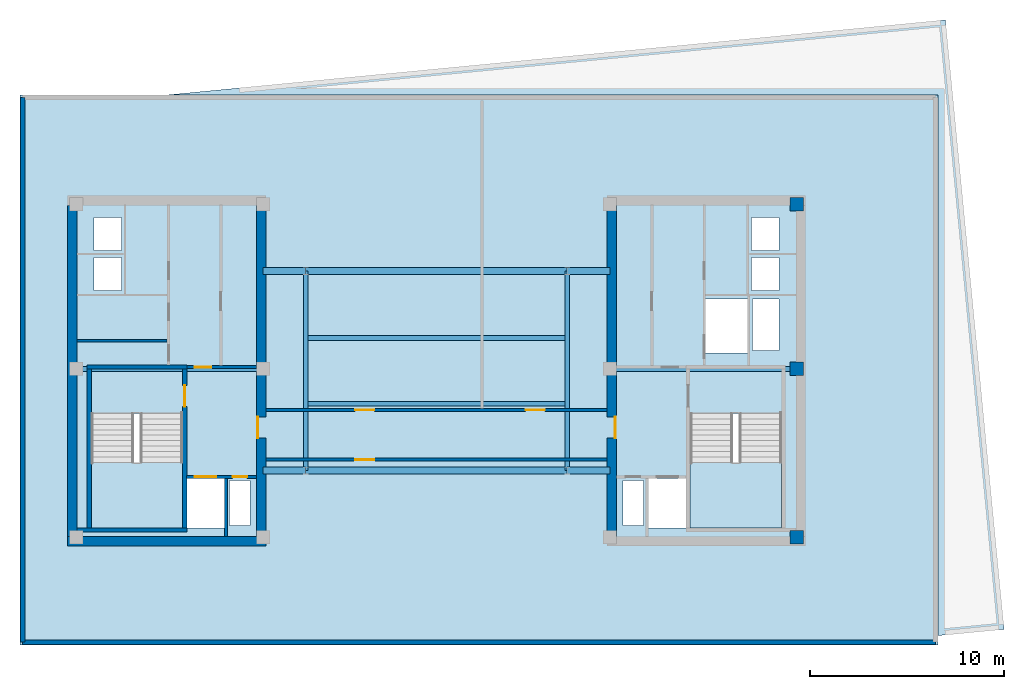
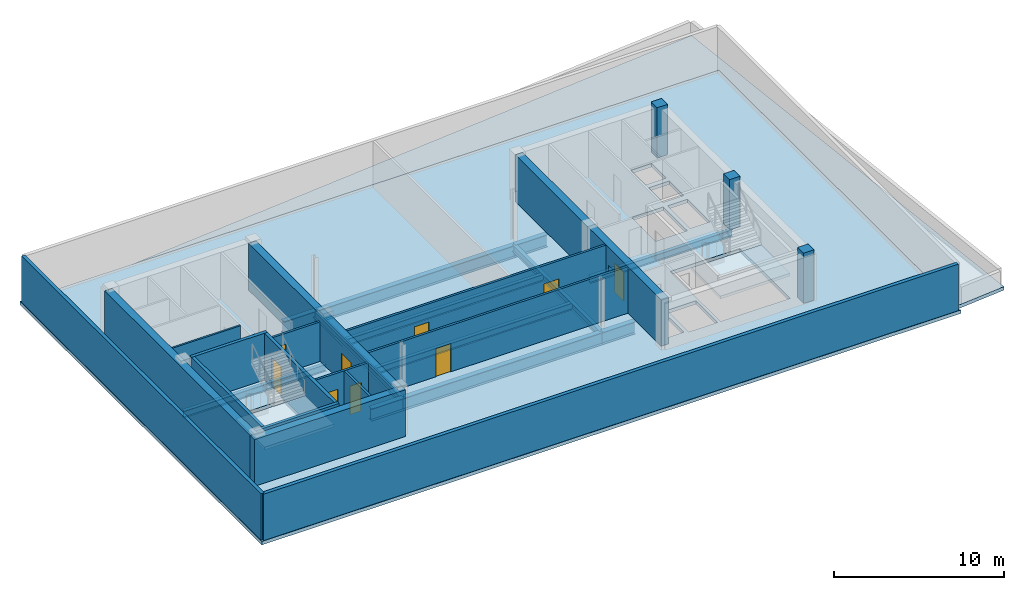
# One storey, part 2 of 6: 16 walls, 12 beams, 9 doors, 4 slabs, 3 columns, 9 openings, 2 elements without a shape of their own.
"""IFC4 building model written with IfcOpenShell, lengths in metres."""

from ifc_helpers import new_model, si_unit, direction, frame, frame_2d, origin, origin_2d, place, context, subcontext, project, spatial, polyline, rectangle, i_section, outline, extrude, material, layer, layer_set, material_profile, profile_set, type_object, element, fill, aggregate, save


model = new_model("IFC4")

# Units and contexts
model_context = context("Model", 3, precision=1e-05, world=origin(), true_north=direction((0.0, 1.0)))
body_context = subcontext(model_context, "Body", "Model", "MODEL_VIEW")
ifc_project = project(units=[si_unit("LENGTHUNIT", "METRE"), si_unit("AREAUNIT", "SQUARE_METRE"), si_unit("VOLUMEUNIT", "CUBIC_METRE"), si_unit("PLANEANGLEUNIT", "RADIAN"), si_unit("MASSUNIT", "GRAM", prefix="KILO")], contexts=[model_context])

# Site, building, storey
site_placement = place(None, origin())
site = spatial("IfcSite", under=ifc_project, at=site_placement, CompositionType="ELEMENT")
building_placement = place(site_placement, origin())
building = spatial("IfcBuilding", under=site, at=building_placement, Name="Velakula Bourse", CompositionType="ELEMENT")
storey_placement = place(building_placement, frame((0.0, 0.0, 290.550048828125)))
storey = spatial("IfcBuildingStorey", under=building, at=storey_placement, Name="L79", CompositionType="ELEMENT", Elevation=290.550048828125)

# Columns
ifc_material_1 = material(Name="Concrete M50 (fck 50 MPa)", Category="concrete")
ifc_material_profile_1 = material_profile(ifc_material_1, rectangle(XDim=0.699951171875, YDim=0.699951171875, at=origin_2d()), Name="Concrete M50 (fck 50 MPa)")
ifc_profile_set_1 = profile_set([ifc_material_profile_1], Name="Concrete M50 (fck 50 MPa)")
column_type = type_object("IfcColumnType", Name="COL-RC-700", PredefinedType="COLUMN", material=ifc_profile_set_1)
for number, where, z_axis, x_axis, name in (
    (1, (18.60009765625, -8.60009765625, 0.0), (0.0, 0.0, 1.0), (1.0, 0.0, 0.0), "L79 Core Boundary Column 10"),
    (2, (18.60009765625, 0.10009765625, 0.0), (0.0, 0.0, 1.0), (1.0, 0.0, 0.0), "L79 Core Boundary Column 11"),
    (3, (18.60009765625, 8.60009765625, 0.0), (0.0, 0.0, 1.0), (1.0, 0.0, 0.0), "L79 Core Boundary Column 12"),
):
    element("IfcColumn", number, at=place(storey_placement, frame(where, z_axis=z_axis, x_axis=x_axis)), inside=storey, type_object=column_type, Name=name, PredefinedType="COLUMN", context=body_context, shape_type="SweptSolid", body=[
        extrude(rectangle(XDim=0.699951171875, YDim=0.699951171875, at=origin_2d()), origin(), (0.0, 0.0, 1.0), 3.599853515625),
    ])

# Beams
ifc_material_2 = material(Name="Steel IS 2062 Grade 350 (E350)", Category="steel")
ifc_material_profile_2 = material_profile(ifc_material_2, i_section(OverallWidth=0.25, OverallDepth=0.5, WebThickness=0.010009765625, FlangeThickness=0.0146484375, at=origin_2d()), Name="Steel IS 2062 Grade 350 (E350)")
ifc_profile_set_2 = profile_set([ifc_material_profile_2], Name="Steel IS 2062 Grade 350 (E350)")
beam_type_1 = type_object("IfcBeamType", Name="BM-EDG-500", PredefinedType="BEAM", material=ifc_profile_set_2)
for number, where, z_axis, x_axis, name in (
    (4, (-18.60009765625, 0.10009765625, -0.5), (1.0, 0.0, 0.0), (0.0, 1.0, 0.0), "L79 Primary Backbone Girder CRW-M"),
    (5, (8.949951171875, 0.10009765625, -0.5), (1.0, 0.0, 0.0), (0.0, 1.0, 0.0), "L79 Primary Backbone Girder CRE-M"),
):
    element("IfcBeam", number, at=place(storey_placement, frame(where, z_axis=z_axis, x_axis=x_axis)), inside=storey, type_object=beam_type_1, Name=name, PredefinedType="BEAM", context=body_context, shape_type="SweptSolid", body=[
        extrude(i_section(OverallWidth=0.25, OverallDepth=0.5, WebThickness=0.010009765625, FlangeThickness=0.0146484375, at=origin_2d()), origin(), (0.0, 0.0, 1.0), 9.650146484375),
    ])
for number, where, z_axis, x_axis, name in (
    (6, (-6.75, -5.14990234375, -0.5), (0.0, 1.0, 0.0), (-1.0, 0.0, 0.0), "L79 Primary Backbone Girder SPN-W"),
    (7, (6.75, -5.14990234375, -0.5), (0.0, 1.0, 0.0), (-1.0, 0.0, 0.0), "L79 Primary Backbone Girder SPN-E"),
):
    element("IfcBeam", number, at=place(storey_placement, frame(where, z_axis=z_axis, x_axis=x_axis)), inside=storey, type_object=beam_type_1, Name=name, PredefinedType="BEAM", context=body_context, shape_type="SweptSolid", body=[
        extrude(i_section(OverallWidth=0.25, OverallDepth=0.5, WebThickness=0.010009765625, FlangeThickness=0.0146484375, at=origin_2d()), origin(), (0.0, 0.0, 1.0), 10.2998046875),
    ])
for number, where, z_axis, x_axis, name in (
    (8, (-6.75, -1.699951171875, -0.5), (1.0, 0.0, 0.0), (0.0, 1.0, 0.0), "L79 Crown Mechanical Floor Girder 1"),
    (9, (-6.75, 1.699951171875, -0.5), (1.0, 0.0, 0.0), (0.0, 1.0, 0.0), "L79 Crown Mechanical Floor Girder 2"),
):
    element("IfcBeam", number, at=place(storey_placement, frame(where, z_axis=z_axis, x_axis=x_axis)), inside=storey, type_object=beam_type_1, Name=name, PredefinedType="BEAM", context=body_context, shape_type="SweptSolid", body=[
        extrude(i_section(OverallWidth=0.25, OverallDepth=0.5, WebThickness=0.010009765625, FlangeThickness=0.0146484375, at=origin_2d()), origin(), (0.0, 0.0, 1.0), 13.5),
    ])
ifc_material_profile_3 = material_profile(ifc_material_2, i_section(OverallWidth=0.35009765625, OverallDepth=0.89990234375, WebThickness=0.02001953125, FlangeThickness=0.031982421875, at=origin_2d()), Name="Steel IS 2062 Grade 350 (E350)")
ifc_profile_set_3 = profile_set([ifc_material_profile_3], Name="Steel IS 2062 Grade 350 (E350)")
beam_type_2 = type_object("IfcBeamType", Name="BM-LNK-900", PredefinedType="BEAM", material=ifc_profile_set_3)
beam_1_placement = place(storey_placement, frame((-8.949951171875, -5.14990234375, -0.699951171875), z_axis=(1.0, 0.0, 0.0), x_axis=(0.0, 1.0, 0.0)))
element("IfcBeam", 10, at=beam_1_placement, inside=storey, type_object=beam_type_2, Name="L79 Primary Backbone Girder LNK-S1", PredefinedType="BEAM", context=body_context, shape_type="SweptSolid", body=[
    extrude(i_section(OverallWidth=0.35009765625, OverallDepth=0.89990234375, WebThickness=0.02001953125, FlangeThickness=0.031982421875, at=origin_2d()), origin(), (0.0, 0.0, 1.0), 2.199951171875),
])
beam_2_placement = place(storey_placement, frame((-6.75, -5.14990234375, -0.699951171875), z_axis=(1.0, 0.0, 0.0), x_axis=(0.0, 1.0, 0.0)))
element("IfcBeam", 11, at=beam_2_placement, inside=storey, type_object=beam_type_2, Name="L79 Primary Backbone Girder LNK-S2", PredefinedType="BEAM", context=body_context, shape_type="SweptSolid", body=[
    extrude(i_section(OverallWidth=0.35009765625, OverallDepth=0.89990234375, WebThickness=0.02001953125, FlangeThickness=0.031982421875, at=origin_2d()), origin(), (0.0, 0.0, 1.0), 13.5),
])
for number, where, z_axis, x_axis, name in (
    (12, (6.75, -5.14990234375, -0.699951171875), (1.0, 0.0, 0.0), (0.0, 1.0, 0.0), "L79 Primary Backbone Girder LNK-S3"),
    (13, (-8.949951171875, 5.14990234375, -0.699951171875), (1.0, 0.0, 0.0), (0.0, 1.0, 0.0), "L79 Primary Backbone Girder LNK-N1"),
):
    element("IfcBeam", number, at=place(storey_placement, frame(where, z_axis=z_axis, x_axis=x_axis)), inside=storey, type_object=beam_type_2, Name=name, PredefinedType="BEAM", context=body_context, shape_type="SweptSolid", body=[
        extrude(i_section(OverallWidth=0.35009765625, OverallDepth=0.89990234375, WebThickness=0.02001953125, FlangeThickness=0.031982421875, at=origin_2d()), origin(), (0.0, 0.0, 1.0), 2.199951171875),
    ])
beam_3_placement = place(storey_placement, frame((-6.75, 5.14990234375, -0.699951171875), z_axis=(1.0, 0.0, 0.0), x_axis=(0.0, 1.0, 0.0)))
element("IfcBeam", 14, at=beam_3_placement, inside=storey, type_object=beam_type_2, Name="L79 Primary Backbone Girder LNK-N2", PredefinedType="BEAM", context=body_context, shape_type="SweptSolid", body=[
    extrude(i_section(OverallWidth=0.35009765625, OverallDepth=0.89990234375, WebThickness=0.02001953125, FlangeThickness=0.031982421875, at=origin_2d()), origin(), (0.0, 0.0, 1.0), 13.5),
])
beam_4_placement = place(storey_placement, frame((6.75, 5.14990234375, -0.699951171875), z_axis=(1.0, 0.0, 0.0), x_axis=(0.0, 1.0, 0.0)))
element("IfcBeam", 15, at=beam_4_placement, inside=storey, type_object=beam_type_2, Name="L79 Primary Backbone Girder LNK-N3", PredefinedType="BEAM", context=body_context, shape_type="SweptSolid", body=[
    extrude(i_section(OverallWidth=0.35009765625, OverallDepth=0.89990234375, WebThickness=0.02001953125, FlangeThickness=0.031982421875, at=origin_2d()), origin(), (0.0, 0.0, 1.0), 2.199951171875),
])

# Slab
ifc_layer_1 = layer(ifc_material_1, 0.25, Name="Concrete M50 (fck 50 MPa)", Category="concrete")
ifc_layer_set_1 = layer_set([ifc_layer_1], Name="Concrete M50 (fck 50 MPa)")
slab_type_1 = type_object("IfcSlabType", Name="SLB-POD-250", PredefinedType="FLOOR", material=ifc_layer_set_1)
slab_1_placement = place(storey_placement, frame((0.0, 0.0, -0.25)))
element("IfcSlab", 16, at=slab_1_placement, inside=storey, type_object=slab_type_1, Name="L79 Suspended Structural Floor Slab", PredefinedType="FLOOR", context=body_context, shape_type="SweptSolid", body=[
    extrude(outline(polyline([(-21.5, -14.14990234375), (25.89990234375, -14.14990234375), (25.89990234375, 14.25), (-21.5, 14.25), (-21.5, -14.14990234375)]), holes=[polyline([(-17.820068359375, -8.10009765625), (-13.10009765625, -8.10009765625), (-13.10009765625, -2.199951171875), (-17.820068359375, -2.199951171875), (-17.820068359375, -8.10009765625)]), polyline([(13.10009765625, -8.10009765625), (17.820068359375, -8.10009765625), (17.820068359375, -2.199951171875), (13.10009765625, -2.199951171875), (13.10009765625, -8.10009765625)]), polyline([(-12.89990234375, -8.10009765625), (-10.949951171875, -8.10009765625), (-10.949951171875, -5.550048828125), (-12.89990234375, -5.550048828125), (-12.89990234375, -8.10009765625)]), polyline([(10.949951171875, -8.10009765625), (12.89990234375, -8.10009765625), (12.89990234375, -5.550048828125), (10.949951171875, -5.550048828125), (10.949951171875, -8.10009765625)]), polyline([(13.89990234375, 0.919921875), (16.050048828125, 0.919921875), (16.050048828125, 3.719970703125), (13.89990234375, 3.719970703125), (13.89990234375, 0.919921875)]), polyline([(-10.679931640625, -7.97998046875), (-9.6201171875, -7.97998046875), (-9.6201171875, -5.669921875), (-10.679931640625, -5.669921875), (-10.679931640625, -7.97998046875)]), polyline([(-17.679931640625, 4.139892578125), (-16.27001953125, 4.139892578125), (-16.27001953125, 5.85009765625), (-17.679931640625, 5.85009765625), (-17.679931640625, 4.139892578125)]), polyline([(-17.679931640625, 6.2099609375), (-16.27001953125, 6.2099609375), (-16.27001953125, 7.919921875), (-17.679931640625, 7.919921875), (-17.679931640625, 6.2099609375)]), polyline([(9.6201171875, -7.97998046875), (10.679931640625, -7.97998046875), (10.679931640625, -5.669921875), (9.6201171875, -5.669921875), (9.6201171875, -7.97998046875)]), polyline([(16.27001953125, 4.139892578125), (17.679931640625, 4.139892578125), (17.679931640625, 5.85009765625), (16.27001953125, 5.85009765625), (16.27001953125, 4.139892578125)]), polyline([(16.27001953125, 6.2099609375), (17.679931640625, 6.2099609375), (17.679931640625, 7.919921875), (16.27001953125, 7.919921875), (16.27001953125, 6.2099609375)]), polyline([(16.320068359375, 1.0400390625), (17.679931640625, 1.0400390625), (17.679931640625, 3.699951171875), (16.320068359375, 3.699951171875), (16.320068359375, 1.0400390625)])]), origin(), (0.0, 0.0, 1.0), 0.25),
])

# Stair, slab
ifc_material_3 = material(Name="Concrete M45 (fck 45 MPa)", Category="concrete")
stair_type = type_object("IfcStairType", Name="STR-DOG-390", PredefinedType="HALF_TURN_STAIR", material=ifc_material_3)
stair_1_placement = place(storey_placement, origin())
stair_1 = element("IfcStair", 17, at=stair_1_placement, inside=storey, type_object=stair_type, Name="L79 West Core Exit Stair ST-W1", PredefinedType="HALF_TURN_STAIR")
ifc_layer_2 = layer(ifc_material_3, 0.199951171875, Name="Concrete M45 (fck 45 MPa)", Category="concrete")
ifc_layer_set_2 = layer_set([ifc_layer_2], Name="Concrete M45 (fck 45 MPa)")
slab_type_2 = type_object("IfcSlabType", Name="SLB-STAIR-LND-200", PredefinedType="LANDING", material=ifc_layer_set_2)
slab_2_placement = place(storey_placement, frame((0.0, 0.0, 1.599853515625)))
slab_2 = element("IfcSlab", 18, at=slab_2_placement, type_object=slab_type_2, Name="ST-W1 landing 1", PredefinedType="LANDING", context=body_context, shape_type="SweptSolid", body=[
    extrude(outline(polyline([(-17.820068359375, -4.719970703125), (-17.820068359375, -8.10009765625), (-13.10009765625, -8.10009765625), (-13.10009765625, -4.719970703125), (-17.820068359375, -4.719970703125)])), origin(), (0.0, 0.0, 1.0), 0.2001953125),
])
aggregate(stair_1, [slab_2])

stair_2_placement = place(storey_placement, origin())
stair_2 = element("IfcStair", 19, at=stair_2_placement, inside=storey, type_object=stair_type, Name="L79 East Core Exit Stair ST-E1", PredefinedType="HALF_TURN_STAIR")
slab_3_placement = place(storey_placement, frame((0.0, 0.0, 1.599853515625)))
slab_3 = element("IfcSlab", 20, at=slab_3_placement, type_object=slab_type_2, Name="ST-E1 landing 1", PredefinedType="LANDING", context=body_context, shape_type="SweptSolid", body=[
    extrude(outline(polyline([(13.10009765625, -4.719970703125), (13.10009765625, -8.10009765625), (17.820068359375, -8.10009765625), (17.820068359375, -4.719970703125), (13.10009765625, -4.719970703125)])), origin(), (0.0, 0.0, 1.0), 0.2001953125),
])
aggregate(stair_2, [slab_3])

# Slab
ifc_layer_3 = layer(ifc_material_1, 0.25, Name="Concrete M50 (fck 50 MPa)", Category="concrete")
ifc_layer_set_3 = layer_set([ifc_layer_3], Name="Concrete M50 (fck 50 MPa)")
slab_type_3 = type_object("IfcSlabType", Name="SLB-STEP-ROOF-250", PredefinedType="ROOF", material=ifc_layer_set_3)
slab_4_placement = place(storey_placement, frame((0.0, 0.0, -0.25)))
element("IfcSlab", 21, at=slab_4_placement, inside=storey, type_object=slab_type_3, Name="L79 Crown Step 2 Closed Roof", PredefinedType="ROOF", context=body_context, shape_type="SweptSolid", body=[
    extrude(outline(polyline([(26.27099609375, 18.11376953125), (29.2998046875, -13.3408203125), (25.8798828125, -13.669921875), (25.8798828125, 14.22998046875), (-14.06396484375, 14.22998046875), (26.27099609375, 18.11376953125)])), origin(), (0.0, 0.0, 1.0), 0.25),
])

# Wall, opening, door
ifc_layer_4 = layer(ifc_material_1, 0.2099609375, Name="Concrete M50 (fck 50 MPa)", Category="concrete")
ifc_layer_set_4 = layer_set([ifc_layer_4], Name="Concrete M50 (fck 50 MPa)")
wall_type_1 = type_object("IfcWallType", Name="WL-CORE-210", PredefinedType="SHEAR", material=ifc_layer_set_4)
wall_1_placement = place(storey_placement, frame((-12.9951171875, -8.10009765625, 0.0), z_axis=(0.0, 0.0, 1.0), x_axis=(0.0, 1.0, 0.0)))
wall_1 = element("IfcWall", 22, at=wall_1_placement, inside=storey, type_object=wall_type_1, Name="L79 Core W Stairwell Shear Wall IN", PredefinedType="SHEAR", context=body_context, shape_type="SweptSolid", body=[
    extrude(rectangle(XDim=8.2001953125, YDim=0.2099609375, at=frame_2d((4.10009765625, 0.0))), origin(), (0.0, 0.0, 1.0), 3.349853515625),
])
opening_1_placement = place(wall_1_placement, frame((6.25, 0.0, 0.0)))
opening_1 = element("IfcOpeningElement", 23, at=opening_1_placement, cuts=wall_1, Name="Opening D-STW1", PredefinedType="OPENING", context=body_context, shape_type="SweptSolid", body=[
    extrude(rectangle(XDim=1.10009765625, YDim=2.14990234375, at=frame_2d((0.550048828125, 1.074951171875))), frame((0.0, 0.114990234375, 0.0), z_axis=(0.0, -1.0, 0.0), x_axis=(1.0, 0.0, 0.0)), (0.0, 0.0, 1.0), 0.22998046875),
])
ifc_material_4 = material(Name="Galvanised painted hollow steel fire door", Category="steel")
door_type_1 = type_object("IfcDoorType", Name="DR-FD120-1100x2150", OperationType="NOTDEFINED", PredefinedType="DOOR", material=ifc_material_4)
door_1_placement = place(opening_1_placement, origin())
door_1 = element("IfcDoor", 24, at=door_1_placement, inside=storey, type_object=door_type_1, Name="L79 Stair ST-W1 Fire Door", OperationType="SINGLE_SWING_LEFT", OverallHeight=2.14990234375, OverallWidth=1.10009765625, PredefinedType="DOOR", context=body_context, shape_type="SweptSolid", body=[
    extrude(rectangle(XDim=1.10009765625, YDim=2.14990234375, at=frame_2d((0.550048828125, 1.074951171875))), frame((0.0, 0.02490234375, 0.0), z_axis=(0.0, -1.0, 0.0), x_axis=(1.0, 0.0, 0.0)), (0.0, 0.0, 1.0), 0.050048828125),
])
fill(opening_1, door_1)

# Walls
wall_2_placement = place(storey_placement, frame((-17.925048828125, -8.10009765625, 0.0), z_axis=(0.0, 0.0, 1.0), x_axis=(0.0, 1.0, 0.0)))
element("IfcWall", 25, at=wall_2_placement, inside=storey, type_object=wall_type_1, Name="L79 Core W Stairwell Shear Wall OUT", PredefinedType="SHEAR", context=body_context, shape_type="SweptSolid", body=[
    extrude(rectangle(XDim=8.2001953125, YDim=0.2099609375, at=frame_2d((4.10009765625, 0.0))), origin(), (0.0, 0.0, 1.0), 3.349853515625),
])
wall_3_placement = place(storey_placement, frame((-18.550048828125, -8.205078125, 0.0), z_axis=(0.0, 0.0, 1.0), x_axis=(1.0, 0.0, 0.0)))
element("IfcWall", 26, at=wall_3_placement, inside=storey, type_object=wall_type_1, Name="L79 Core W Stairwell Shear Wall S", PredefinedType="SHEAR", context=body_context, shape_type="SweptSolid", body=[
    extrude(rectangle(XDim=5.66015625, YDim=0.2099609375, at=frame_2d((2.830078125, 0.0))), origin(), (0.0, 0.0, 1.0), 3.349853515625),
])
wall_4_placement = place(storey_placement, frame((-12.889892578125, 0.205078125, 0.0), z_axis=(0.0, 0.0, 1.0), x_axis=(-1.0, 0.0, 0.0)))
element("IfcWall", 27, at=wall_4_placement, inside=storey, type_object=wall_type_1, Name="L79 Core W Stairwell Shear Wall N", PredefinedType="SHEAR", context=body_context, shape_type="SweptSolid", body=[
    extrude(rectangle(XDim=5.14013671875, YDim=0.2099609375, at=frame_2d((2.570068359375, 0.0))), origin(), (0.0, 0.0, 1.0), 3.349853515625),
])
ifc_layer_5 = layer(ifc_material_1, 0.5, Name="Concrete M50 (fck 50 MPa)", Category="concrete")
ifc_layer_set_5 = layer_set([ifc_layer_5], Name="Concrete M50 (fck 50 MPa)")
wall_type_2 = type_object("IfcWallType", Name="WL-CORE-500", PredefinedType="SHEAR", material=ifc_layer_set_5)
wall_5_placement = place(storey_placement, frame((-19.050048828125, -8.800048828125, 0.0), z_axis=(0.0, 0.0, 1.0), x_axis=(1.0, 0.0, 0.0)))
element("IfcWall", 28, at=wall_5_placement, inside=storey, type_object=wall_type_2, Name="L79 Core W Shear Wall S", PredefinedType="SHEAR", context=body_context, shape_type="SweptSolid", body=[
    extrude(rectangle(XDim=10.25, YDim=0.5, at=frame_2d((5.125, 0.0))), origin(), (0.0, 0.0, 1.0), 3.349853515625),
])
wall_6_placement = place(storey_placement, frame((-18.800048828125, -8.550048828125, 0.0), z_axis=(0.0, 0.0, 1.0), x_axis=(0.0, 1.0, 0.0)))
element("IfcWall", 29, at=wall_6_placement, inside=storey, type_object=wall_type_2, Name="L79 Core W Shear Wall W", PredefinedType="SHEAR", context=body_context, shape_type="SweptSolid", body=[
    extrude(rectangle(XDim=17.10009765625, YDim=0.5, at=frame_2d((8.550048828125, 0.0))), origin(), (0.0, 0.0, 1.0), 3.349853515625),
])

# Wall, opening, door
wall_7_placement = place(storey_placement, frame((-9.050048828125, -8.550048828125, 0.0), z_axis=(0.0, 0.0, 1.0), x_axis=(0.0, 1.0, 0.0)))
wall_7 = element("IfcWall", 30, at=wall_7_placement, inside=storey, type_object=wall_type_2, Name="L79 Core W Shear Wall E", PredefinedType="SHEAR", context=body_context, shape_type="SweptSolid", body=[
    extrude(rectangle(XDim=17.10009765625, YDim=0.5, at=frame_2d((8.550048828125, 0.0))), origin(), (0.0, 0.0, 1.0), 3.349853515625),
])
opening_2_placement = place(wall_7_placement, frame((5.080078125, 0.0, 0.0)))
opening_2 = element("IfcOpeningElement", 31, at=opening_2_placement, cuts=wall_7, Name="Opening D-FLW", PredefinedType="OPENING", context=body_context, shape_type="SweptSolid", body=[
    extrude(rectangle(XDim=1.10009765625, YDim=2.080078125, at=frame_2d((0.550048828125, 1.0400390625))), frame((0.0, 0.260009765625, 0.0), z_axis=(0.0, -1.0, 0.0), x_axis=(1.0, 0.0, 0.0)), (0.0, 0.0, 1.0), 0.52001953125),
])
door_type_2 = type_object("IfcDoorType", Name="DR-FD120-1100", OperationType="NOTDEFINED", PredefinedType="DOOR", material=ifc_material_4)
door_2_placement = place(opening_2_placement, origin())
door_2 = element("IfcDoor", 32, at=door_2_placement, inside=storey, type_object=door_type_2, Name="L79 Firefighting Lobby W Corridor Fire Door", OperationType="SINGLE_SWING_LEFT", OverallHeight=2.080078125, OverallWidth=1.10009765625, PredefinedType="DOOR", context=body_context, shape_type="SweptSolid", body=[
    extrude(rectangle(XDim=1.10009765625, YDim=2.080078125, at=frame_2d((0.550048828125, 1.0400390625))), frame((0.0, 0.205078125, 0.0), z_axis=(0.0, -1.0, 0.0), x_axis=(1.0, 0.0, 0.0)), (0.0, 0.0, 1.0), 0.050048828125),
])
fill(opening_2, door_2)

wall_8_placement = place(storey_placement, frame((9.050048828125, -8.550048828125, 0.0), z_axis=(0.0, 0.0, 1.0), x_axis=(0.0, 1.0, 0.0)))
wall_8 = element("IfcWall", 33, at=wall_8_placement, inside=storey, type_object=wall_type_2, Name="L79 Core E Shear Wall W", PredefinedType="SHEAR", context=body_context, shape_type="SweptSolid", body=[
    extrude(rectangle(XDim=17.10009765625, YDim=0.5, at=frame_2d((8.550048828125, 0.0))), origin(), (0.0, 0.0, 1.0), 3.349853515625),
])
opening_3_placement = place(wall_8_placement, frame((5.080078125, 0.0, 0.0)))
opening_3 = element("IfcOpeningElement", 34, at=opening_3_placement, cuts=wall_8, Name="Opening D-FLE", PredefinedType="OPENING", context=body_context, shape_type="SweptSolid", body=[
    extrude(rectangle(XDim=1.10009765625, YDim=2.080078125, at=frame_2d((0.550048828125, 1.0400390625))), frame((0.0, 0.260009765625, 0.0), z_axis=(0.0, -1.0, 0.0), x_axis=(1.0, 0.0, 0.0)), (0.0, 0.0, 1.0), 0.52001953125),
])
door_3_placement = place(opening_3_placement, origin())
door_3 = element("IfcDoor", 35, at=door_3_placement, inside=storey, type_object=door_type_2, Name="L79 Firefighting Lobby E Corridor Fire Door", OperationType="SINGLE_SWING_RIGHT", OverallHeight=2.080078125, OverallWidth=1.10009765625, PredefinedType="DOOR", context=body_context, shape_type="SweptSolid", body=[
    extrude(rectangle(XDim=1.10009765625, YDim=2.080078125, at=frame_2d((0.550048828125, 1.0400390625))), frame((0.0, -0.15478515625, 0.0), z_axis=(0.0, -1.0, 0.0), x_axis=(1.0, 0.0, 0.0)), (0.0, 0.0, 1.0), 0.050048828125),
])
fill(opening_3, door_3)

# Walls
ifc_material_5 = material(Name="Buff kilned clay facing brick masonry", Category="masonry")
ifc_layer_6 = layer(ifc_material_5, 0.239990234375, Name="Buff kilned clay facing brick masonry", Category="masonry")
ifc_layer_set_6 = layer_set([ifc_layer_6], Name="Buff kilned clay facing brick masonry")
wall_type_3 = type_object("IfcWallType", Name="WL-EXT-CRN-240", PredefinedType="STANDARD", material=ifc_layer_set_6)
wall_9_placement = place(storey_placement, frame((-21.360107421875, -14.010009765625, 0.0), z_axis=(0.0, 0.0, 1.0), x_axis=(1.0, 0.0, 0.0)))
element("IfcWall", 36, at=wall_9_placement, inside=storey, type_object=wall_type_3, Name="L79 Crown Brick Acoustic Wall S", PredefinedType="STANDARD", context=body_context, shape_type="SweptSolid", body=[
    extrude(rectangle(XDim=47.1201171875, YDim=0.239990234375, at=frame_2d((23.56005859375, 0.0))), origin(), (0.0, 0.0, 1.0), 3.329833984375),
])
wall_10_placement = place(storey_placement, frame((-21.360107421875, 14.110107421875, 0.0), z_axis=(0.0, 0.0, 1.0), x_axis=(0.0, -1.0, 0.0)))
element("IfcWall", 37, at=wall_10_placement, inside=storey, type_object=wall_type_3, Name="L79 Crown Brick Acoustic Wall W", PredefinedType="STANDARD", context=body_context, shape_type="SweptSolid", body=[
    extrude(rectangle(XDim=28.1201171875, YDim=0.239990234375, at=frame_2d((14.06005859375, 0.0))), origin(), (0.0, 0.0, 1.0), 3.329833984375),
])
ifc_material_6 = material(Name="Fire-rated double-layer gypsum drywall partition", Category="gypsum")
ifc_layer_7 = layer(ifc_material_6, 0.1201171875, Name="Fire-rated double-layer gypsum drywall partition", Category="gypsum")
ifc_layer_set_7 = layer_set([ifc_layer_7], Name="Fire-rated double-layer gypsum drywall partition")
wall_type_4 = type_object("IfcWallType", Name="WL-PART-120", PredefinedType="STANDARD", material=ifc_layer_set_7)
wall_11_placement = place(storey_placement, frame((-18.550048828125, 1.550048828125, 0.0), z_axis=(0.0, 0.0, 1.0), x_axis=(1.0, 0.0, 0.0)))
element("IfcWall", 38, at=wall_11_placement, inside=storey, type_object=wall_type_4, Name="L79 Interior Partition WL-CRW-L79-K1", PredefinedType="STANDARD", context=body_context, shape_type="SweptSolid", body=[
    extrude(rectangle(XDim=4.650146484375, YDim=0.1201171875, at=frame_2d((2.3251953125, 0.0))), origin(), (0.0, 0.0, 1.0), 3.329833984375),
])

# Wall, openings, doors
ifc_material_7 = material(Name="Autoclaved aerated concrete blockwork masonry", Category="masonry")
ifc_layer_8 = layer(ifc_material_7, 0.14990234375, Name="Autoclaved aerated concrete blockwork masonry", Category="masonry")
ifc_layer_set_8 = layer_set([ifc_layer_8], Name="Autoclaved aerated concrete blockwork masonry")
wall_type_5 = type_object("IfcWallType", Name="WL-SHAFT-150", PredefinedType="STANDARD", material=ifc_layer_set_8)
wall_12_placement = place(storey_placement, frame((-12.89501953125, -5.47509765625, 0.0), z_axis=(0.0, 0.0, 1.0), x_axis=(1.0, 0.0, 0.0)))
wall_12 = element("IfcWall", 39, at=wall_12_placement, inside=storey, type_object=wall_type_5, Name="L79 Interior Partition WL-CRW-L79-FFL-N", PredefinedType="STANDARD", context=body_context, shape_type="SweptSolid", body=[
    extrude(rectangle(XDim=3.594970703125, YDim=0.14990234375, at=frame_2d((1.79736328125, 0.0))), origin(), (0.0, 0.0, 1.0), 3.329833984375),
])
opening_4_placement = place(wall_12_placement, frame((0.419921875, 0.0, 0.0)))
opening_4 = element("IfcOpeningElement", 40, at=opening_4_placement, cuts=wall_12, Name="Opening LD-FFL-1", PredefinedType="OPENING", context=body_context, shape_type="SweptSolid", body=[
    extrude(rectangle(XDim=1.10009765625, YDim=2.14990234375, at=frame_2d((0.550048828125, 1.074951171875))), frame((0.0, 0.0849609375, 0.0), z_axis=(0.0, -1.0, 0.0), x_axis=(1.0, 0.0, 0.0)), (0.0, 0.0, 1.0), 0.169921875),
])
opening_5_placement = place(wall_12_placement, frame((2.3701171875, 0.0, 0.0)))
opening_5 = element("IfcOpeningElement", 41, at=opening_5_placement, cuts=wall_12, Name="Opening D-RS1", PredefinedType="OPENING", context=body_context, shape_type="SweptSolid", body=[
    extrude(rectangle(XDim=0.75, YDim=2.050048828125, at=frame_2d((0.375, 1.02490234375))), frame((0.0, 0.0849609375, 0.0), z_axis=(0.0, -1.0, 0.0), x_axis=(1.0, 0.0, 0.0)), (0.0, 0.0, 1.0), 0.169921875),
])
door_type_3 = type_object("IfcDoorType", Name="DR-RISER-800", OperationType="NOTDEFINED", PredefinedType="DOOR", material=ifc_material_4)
door_4_placement = place(opening_5_placement, origin())
door_4 = element("IfcDoor", 42, at=door_4_placement, inside=storey, type_object=door_type_3, Name="L79 Fire Riser Access Door", OperationType="SINGLE_SWING_LEFT", OverallHeight=2.050048828125, OverallWidth=0.75, PredefinedType="DOOR", context=body_context, shape_type="SweptSolid", body=[
    extrude(rectangle(XDim=0.75, YDim=2.050048828125, at=frame_2d((0.375, 1.02490234375))), frame((0.0, 0.02490234375, 0.0), z_axis=(0.0, -1.0, 0.0), x_axis=(1.0, 0.0, 0.0)), (0.0, 0.0, 1.0), 0.050048828125),
])
fill(opening_5, door_4)
ifc_material_8 = material(Name="Brushed grade 316 stainless steel", Category="steel")
door_type_4 = type_object("IfcDoorType", Name="DR-SLIDE-FFL-1100", OperationType="DOUBLE_DOOR_SLIDING", PredefinedType="DOOR", material=ifc_material_8)
door_5_placement = place(opening_4_placement, origin())
door_5 = element("IfcDoor", 43, at=door_5_placement, inside=storey, type_object=door_type_4, Name="L79 Firefighting Lift FFL-1 Sliding Landing Door", OperationType="DOUBLE_DOOR_SLIDING", OverallHeight=2.14990234375, OverallWidth=1.10009765625, PredefinedType="DOOR", context=body_context, shape_type="SweptSolid", body=[
    extrude(rectangle(XDim=1.10009765625, YDim=2.14990234375, at=frame_2d((0.550048828125, 1.074951171875))), frame((0.0, 0.02490234375, 0.0), z_axis=(0.0, -1.0, 0.0), x_axis=(1.0, 0.0, 0.0)), (0.0, 0.0, 1.0), 0.050048828125),
])
fill(opening_4, door_5)

# Wall
wall_13_placement = place(storey_placement, frame((-10.875, -8.550048828125, 0.0), z_axis=(0.0, 0.0, 1.0), x_axis=(0.0, 1.0, 0.0)))
element("IfcWall", 44, at=wall_13_placement, inside=storey, type_object=wall_type_5, Name="L79 Interior Partition WL-CRW-L79-FR-DIV", PredefinedType="STANDARD", context=body_context, shape_type="SweptSolid", body=[
    extrude(rectangle(XDim=3.0, YDim=0.14990234375, at=frame_2d((1.5, 0.0))), origin(), (0.0, 0.0, 1.0), 3.329833984375),
])

# Wall, opening, door
wall_14_placement = place(storey_placement, frame((-12.889892578125, 0.18994140625, 0.0), z_axis=(0.0, 0.0, 1.0), x_axis=(1.0, 0.0, 0.0)))
wall_14 = element("IfcWall", 45, at=wall_14_placement, inside=storey, type_object=wall_type_5, Name="L79 Interior Partition WL-CRW-L79-FF-TOP", PredefinedType="STANDARD", context=body_context, shape_type="SweptSolid", body=[
    extrude(rectangle(XDim=3.58984375, YDim=0.14990234375, at=frame_2d((1.794921875, 0.0))), origin(), (0.0, 0.0, 1.0), 2.824951171875),
])
opening_6_placement = place(wall_14_placement, frame((0.4150390625, 0.0, 0.0)))
opening_6 = element("IfcOpeningElement", 46, at=opening_6_placement, cuts=wall_14, Name="Opening D-FC1", PredefinedType="OPENING", context=body_context, shape_type="SweptSolid", body=[
    extrude(rectangle(XDim=0.85009765625, YDim=2.0400390625, at=frame_2d((0.425048828125, 1.02001953125))), frame((0.0, 0.0849609375, 0.0), z_axis=(0.0, -1.0, 0.0), x_axis=(1.0, 0.0, 0.0)), (0.0, 0.0, 1.0), 0.169921875),
])
door_type_5 = type_object("IfcDoorType", Name="DR-FD120-850", OperationType="NOTDEFINED", PredefinedType="DOOR", material=ifc_material_4)
door_6_placement = place(opening_6_placement, origin())
door_6 = element("IfcDoor", 47, at=door_6_placement, inside=storey, type_object=door_type_5, Name="L79 Firefighting Lobby Link Fire Door", OperationType="SINGLE_SWING_RIGHT", OverallHeight=2.0400390625, OverallWidth=0.85009765625, PredefinedType="DOOR", context=body_context, shape_type="SweptSolid", body=[
    extrude(rectangle(XDim=0.85009765625, YDim=2.0400390625, at=frame_2d((0.425048828125, 1.02001953125))), frame((0.0, 0.02490234375, 0.0), z_axis=(0.0, -1.0, 0.0), x_axis=(1.0, 0.0, 0.0)), (0.0, 0.0, 1.0), 0.050048828125),
])
fill(opening_6, door_6)

# Wall, openings, doors
wall_15_placement = place(storey_placement, frame((-8.800048828125, -2.02001953125, 0.0), z_axis=(0.0, 0.0, 1.0), x_axis=(1.0, 0.0, 0.0)))
wall_15 = element("IfcWall", 48, at=wall_15_placement, inside=storey, type_object=wall_type_5, Name="L79 Interior Partition WL-CRN-L79-N", PredefinedType="STANDARD", context=body_context, shape_type="SweptSolid", body=[
    extrude(rectangle(XDim=17.60009765625, YDim=0.14990234375, at=frame_2d((8.800048828125, 0.0))), origin(), (0.0, 0.0, 1.0), 3.329833984375),
])
opening_7_placement = place(wall_15_placement, frame((4.60009765625, 0.0, 0.0)))
opening_7 = element("IfcOpeningElement", 49, at=opening_7_placement, cuts=wall_15, Name="Opening D-CP3", PredefinedType="OPENING", context=body_context, shape_type="SweptSolid", body=[
    extrude(rectangle(XDim=1.0, YDim=2.02001953125, at=frame_2d((0.5, 1.010009765625))), frame((0.0, 0.0849609375, 0.0), z_axis=(0.0, -1.0, 0.0), x_axis=(1.0, 0.0, 0.0)), (0.0, 0.0, 1.0), 0.169921875),
])
opening_8_placement = place(wall_15_placement, frame((13.39990234375, 0.0, 0.0)))
opening_8 = element("IfcOpeningElement", 50, at=opening_8_placement, cuts=wall_15, Name="Opening D-CP3", PredefinedType="OPENING", context=body_context, shape_type="SweptSolid", body=[
    extrude(rectangle(XDim=1.0, YDim=2.02001953125, at=frame_2d((0.5, 1.010009765625))), frame((0.0, 0.0849609375, 0.0), z_axis=(0.0, -1.0, 0.0), x_axis=(1.0, 0.0, 0.0)), (0.0, 0.0, 1.0), 0.169921875),
])
door_type_6 = type_object("IfcDoorType", Name="DR-FD120-1000x2020", OperationType="NOTDEFINED", PredefinedType="DOOR", material=ifc_material_4)
door_7_placement = place(opening_7_placement, origin())
door_7 = element("IfcDoor", 51, at=door_7_placement, inside=storey, type_object=door_type_6, Name="L79 Heat-Recovery AHU Mechanical Plant Room Door", OperationType="SINGLE_SWING_RIGHT", OverallHeight=2.02001953125, OverallWidth=1.0, PredefinedType="DOOR", context=body_context, shape_type="SweptSolid", body=[
    extrude(rectangle(XDim=1.0, YDim=2.02001953125, at=frame_2d((0.5, 1.010009765625))), frame((0.0, 0.02490234375, 0.0), z_axis=(0.0, -1.0, 0.0), x_axis=(1.0, 0.0, 0.0)), (0.0, 0.0, 1.0), 0.050048828125),
])
fill(opening_7, door_7)
door_8_placement = place(opening_8_placement, origin())
door_8 = element("IfcDoor", 52, at=door_8_placement, inside=storey, type_object=door_type_6, Name="L79 Cooling Tower and Water Tank Room Door", OperationType="SINGLE_SWING_RIGHT", OverallHeight=2.02001953125, OverallWidth=1.0, PredefinedType="DOOR", context=body_context, shape_type="SweptSolid", body=[
    extrude(rectangle(XDim=1.0, YDim=2.02001953125, at=frame_2d((0.5, 1.010009765625))), frame((0.0, 0.02490234375, 0.0), z_axis=(0.0, -1.0, 0.0), x_axis=(1.0, 0.0, 0.0)), (0.0, 0.0, 1.0), 0.050048828125),
])
fill(opening_8, door_8)

# Wall, opening, door
wall_16_placement = place(storey_placement, frame((-8.800048828125, -4.580078125, 0.0), z_axis=(0.0, 0.0, 1.0), x_axis=(1.0, 0.0, 0.0)))
wall_16 = element("IfcWall", 53, at=wall_16_placement, inside=storey, type_object=wall_type_5, Name="L79 Interior Partition WL-CRN-L79-S", PredefinedType="STANDARD", context=body_context, shape_type="SweptSolid", body=[
    extrude(rectangle(XDim=17.60009765625, YDim=0.14990234375, at=frame_2d((8.800048828125, 0.0))), origin(), (0.0, 0.0, 1.0), 3.329833984375),
])
opening_9_placement = place(wall_16_placement, frame((4.60009765625, 0.0, 0.0)))
opening_9 = element("IfcOpeningElement", 54, at=opening_9_placement, cuts=wall_16, Name="Opening D-CP2", PredefinedType="OPENING", context=body_context, shape_type="SweptSolid", body=[
    extrude(rectangle(XDim=1.0, YDim=2.02001953125, at=frame_2d((0.5, 1.010009765625))), frame((0.0, 0.0849609375, 0.0), z_axis=(0.0, -1.0, 0.0), x_axis=(1.0, 0.0, 0.0)), (0.0, 0.0, 1.0), 0.169921875),
])
door_9_placement = place(opening_9_placement, origin())
door_9 = element("IfcDoor", 55, at=door_9_placement, inside=storey, type_object=door_type_6, Name="L79 Crown Electrical Switchgear Plant Room Door", OperationType="SINGLE_SWING_LEFT", OverallHeight=2.02001953125, OverallWidth=1.0, PredefinedType="DOOR", context=body_context, shape_type="SweptSolid", body=[
    extrude(rectangle(XDim=1.0, YDim=2.02001953125, at=frame_2d((0.5, 1.010009765625))), frame((0.0, 0.02490234375, 0.0), z_axis=(0.0, -1.0, 0.0), x_axis=(1.0, 0.0, 0.0)), (0.0, 0.0, 1.0), 0.050048828125),
])
fill(opening_9, door_9)

save(model, "model.ifc")
